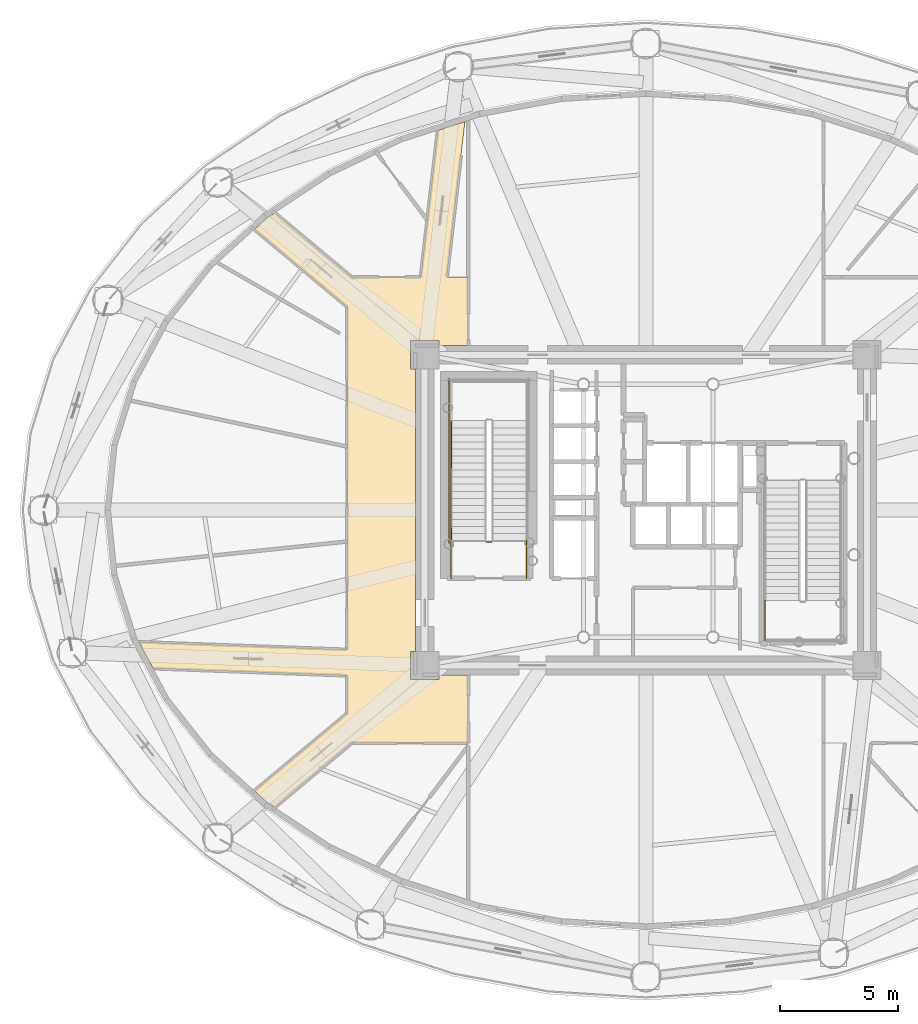
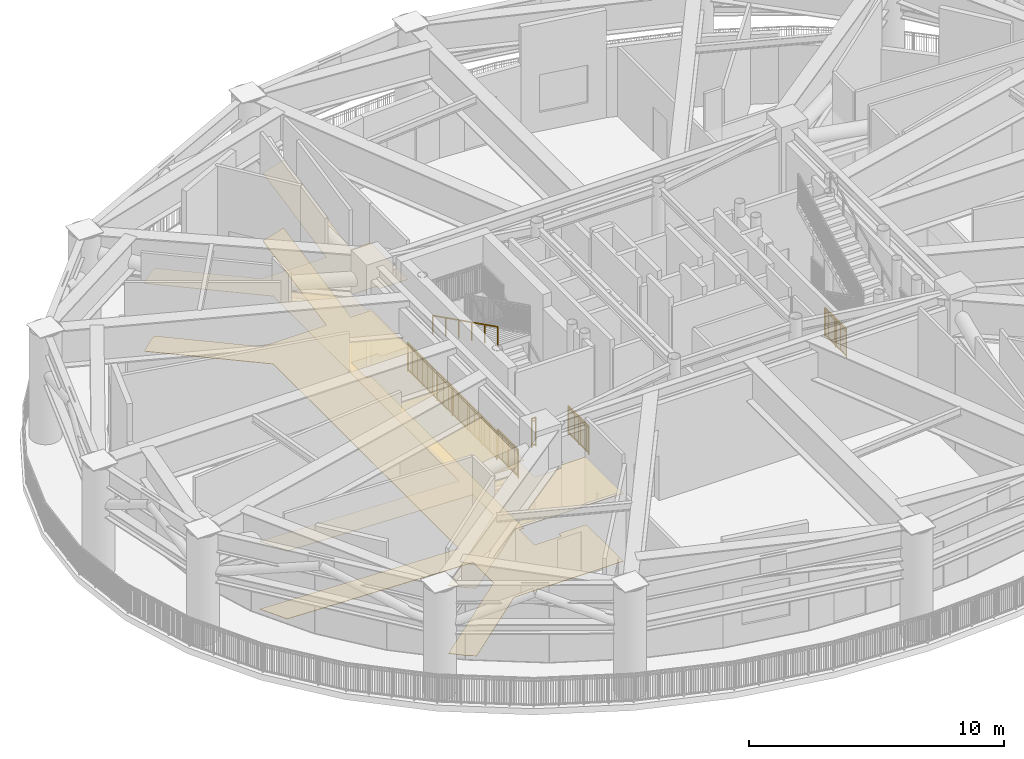
# One storey, part 14 of 20: 6 railings, 2 coverings.
"""IFC4 building model written with IfcOpenShell, lengths in metres."""

import ifcopenshell
import ifcopenshell.guid

model = None  # the IFC model being written
_history = None  # IfcOwnerHistory: only IFC2X3 demands one
_inside = {}  # id of a spatial element -> (the spatial element, [elements in it])
_under = {}  # id of a project, library or spatial element -> (it, [spatial elements below it])
_declared = {}  # id of a project -> (the project, [libraries it declares])
_typed = {}  # id of a type object -> (the type object, [elements of that type])
_made_of = {}  # id of a material, layer set ... -> (it, [elements and type objects made of it])


def new_model(schema):
    """Start an empty IFC model of exactly this schema.

    Asked for "IFC4X3", IfcOpenShell would pick the latest addendum, in which some entities
    have other attributes; the version numbers below select the first issue.
    IFC2X3 requires an IfcOwnerHistory on every rooted entity: one is made here for all.
    """
    global model, _history
    if schema == "IFC4X3":
        model = ifcopenshell.file(schema_version=(4, 3, 0, 0))
    else:
        model = ifcopenshell.file(schema=schema)
    _inside.clear()
    _under.clear()
    _declared.clear()
    _typed.clear()
    _made_of.clear()
    _history = None
    if model.schema == "IFC2X3":
        org = make("IfcOrganization", Name="unknown")
        user = make(
            "IfcPersonAndOrganization",
            ThePerson=make("IfcPerson", FamilyName="unknown"),
            TheOrganization=org,
        )
        app = make(
            "IfcApplication",
            ApplicationDeveloper=org,
            Version="unknown",
            ApplicationFullName="unknown",
            ApplicationIdentifier="unknown",
        )
        _history = make(
            "IfcOwnerHistory",
            OwningUser=user,
            OwningApplication=app,
            ChangeAction="ADDED",
            CreationDate=0,
        )
    return model


def make(cls, **values):
    """One entity of the class cls with the attributes given. An attribute that is None is left unset."""
    return model.create_entity(
        cls, **{name: value for name, value in values.items() if value is not None}
    )


def rooted(cls, **values):
    """An entity with a GlobalId (a new one), such as an element, a storey or a relation."""
    return make(cls, GlobalId=ifcopenshell.guid.new(), OwnerHistory=_history, **values)


def si_unit(unit_type, name, prefix=None):
    """IfcSIUnit, for example si_unit("LENGTHUNIT", "METRE", prefix="MILLI")."""
    return make("IfcSIUnit", UnitType=unit_type, Prefix=prefix, Name=name)


def assignment(units):
    """IfcUnitAssignment: the units of a project."""
    return None if units is None else make("IfcUnitAssignment", Units=units)


def point(xyz):
    """IfcCartesianPoint."""
    return None if xyz is None else make("IfcCartesianPoint", Coordinates=xyz)


def direction(xyz):
    """IfcDirection."""
    return None if xyz is None else make("IfcDirection", DirectionRatios=xyz)


def frame(location, z_axis=None, x_axis=None):
    """IfcAxis2Placement3D, a coordinate frame: its origin and axes. An axis left out is left unset."""
    return make(
        "IfcAxis2Placement3D",
        Location=point(location),
        Axis=direction(z_axis),
        RefDirection=direction(x_axis),
    )


def frame_2d(location, x_axis=None):
    """IfcAxis2Placement2D, a coordinate frame in the plane: its origin and x axis."""
    return make(
        "IfcAxis2Placement2D", Location=point(location), RefDirection=direction(x_axis)
    )


def origin():
    """The frame at (0, 0, 0) with its axes left unset."""
    return frame((0.0, 0.0, 0.0))


def origin_2d():
    """The frame at (0, 0) in the plane with its x axis left unset."""
    return frame_2d((0.0, 0.0))


def place(relative_to, where):
    """IfcLocalPlacement: puts the frame where relative to a parent placement (None: the world)."""
    return make(
        "IfcLocalPlacement", PlacementRelTo=relative_to, RelativePlacement=where
    )


def context(
    kind, dimensions, precision=None, world=None, true_north=None, identifier=None
):
    """IfcGeometricRepresentationContext, for example the 3D "Model" context."""
    return make(
        "IfcGeometricRepresentationContext",
        ContextIdentifier=identifier,
        ContextType=kind,
        CoordinateSpaceDimension=dimensions,
        Precision=precision,
        WorldCoordinateSystem=world,
        TrueNorth=true_north,
    )


def subcontext(parent, identifier, kind, view, scale=None):
    """IfcGeometricRepresentationSubContext, for example "Body" below "Model"."""
    return make(
        "IfcGeometricRepresentationSubContext",
        ContextIdentifier=identifier,
        ContextType=kind,
        ParentContext=parent,
        TargetScale=scale,
        TargetView=view,
    )


def project(units=None, contexts=None):
    """IfcProject with its units and contexts."""
    return rooted(
        "IfcProject",
        Name="project",
        RepresentationContexts=contexts,
        UnitsInContext=assignment(units),
    )


def spatial(cls, under=None, at=None, **own):
    """A site, building, storey or space (cls), placed at a placement, below another one or the project."""
    s = rooted(cls, ObjectPlacement=at, **own)
    if under is not None:
        _under.setdefault(under.id(), (under, []))[1].append(s)
    return s


def polyline(points):
    """IfcPolyline through the points."""
    return make("IfcPolyline", Points=[point(p) for p in points])


def profile(cls, at=None, kind="AREA", **sizes):
    """A parametric profile (cls). Its sizes go by their IFC names, for example OverallWidth=200.0."""
    return make(cls, ProfileType=kind, Position=at, **sizes)


def rectangle(**sizes):
    """IfcRectangleProfileDef."""
    return profile("IfcRectangleProfileDef", **sizes)


def outline(outer, holes=None, kind="AREA"):
    """IfcArbitraryClosedProfileDef: a profile drawn as a closed curve; with holes, ...WithVoids."""
    if holes is None:
        return make("IfcArbitraryClosedProfileDef", ProfileType=kind, OuterCurve=outer)
    return make(
        "IfcArbitraryProfileDefWithVoids",
        ProfileType=kind,
        OuterCurve=outer,
        InnerCurves=holes,
    )


def extrude(swept, where, along, depth):
    """IfcExtrudedAreaSolid: the profile swept, set in the frame where, extruded along a direction by depth."""
    return make(
        "IfcExtrudedAreaSolid",
        SweptArea=swept,
        Position=where,
        ExtrudedDirection=direction(along),
        Depth=depth,
    )


def shape(context_of_items, identifier, shape_type, items):
    """IfcShapeRepresentation: the items that make up one representation, for example the "Body"."""
    return make(
        "IfcShapeRepresentation",
        ContextOfItems=context_of_items,
        RepresentationIdentifier=identifier,
        RepresentationType=shape_type,
        Items=items,
    )


def source(mapping_origin, context_of_items, identifier, shape_type, items):
    """IfcRepresentationMap: a shape defined once, which mapped items show again and again."""
    return make(
        "IfcRepresentationMap",
        MappingOrigin=mapping_origin,
        MappedRepresentation=shape(context_of_items, identifier, shape_type, items),
    )


def transform(
    local_origin,
    x_axis=None,
    y_axis=None,
    z_axis=None,
    scale=None,
    scale2=None,
    scale3=None,
    uniform=True,
):
    """IfcCartesianTransformationOperator3D, or its non-uniform kind. x_axis, y_axis, z_axis: its Axis1, 2, 3."""
    if uniform:
        return make(
            "IfcCartesianTransformationOperator3D",
            Axis1=direction(x_axis),
            Axis2=direction(y_axis),
            LocalOrigin=point(local_origin),
            Scale=scale,
            Axis3=direction(z_axis),
        )
    return make(
        "IfcCartesianTransformationOperator3DnonUniform",
        Axis1=direction(x_axis),
        Axis2=direction(y_axis),
        LocalOrigin=point(local_origin),
        Scale=scale,
        Axis3=direction(z_axis),
        Scale2=scale2,
        Scale3=scale3,
    )


def mapped(mapping_source, mapping_target):
    """IfcMappedItem: shows the shape of a source again, moved by a transform."""
    return make(
        "IfcMappedItem", MappingSource=mapping_source, MappingTarget=mapping_target
    )


def material(Name=None, Category=None):
    """IfcMaterial."""
    return make("IfcMaterial", Name=Name, Category=Category)


def layer(
    of_material, thickness, ventilated=None, Name=None, Category=None, Priority=None
):
    """IfcMaterialLayer: one layer of a wall or slab, of a material (None: an air gap)."""
    return make(
        "IfcMaterialLayer",
        Material=of_material,
        LayerThickness=thickness,
        IsVentilated=ventilated,
        Name=Name,
        Category=Category,
        Priority=Priority,
    )


def layer_set(layers, Name=None):
    """IfcMaterialLayerSet."""
    return make("IfcMaterialLayerSet", MaterialLayers=layers, LayerSetName=Name)


def made_of(thing, what):
    """Note that an element or type object is made of a material, layer set ...; save() writes the relation."""
    if what is not None:
        _made_of.setdefault(what.id(), (what, []))[1].append(thing)
    return thing


def type_object(cls, material=None, **own):
    """A type object (cls), such as IfcWallType, which elements share."""
    return made_of(rooted(cls, **own), material)


def element(
    cls,
    number,
    at=None,
    inside=None,
    cuts=None,
    type_object=None,
    material=None,
    context=None,
    identifier="Body",
    shape_type=None,
    held_by="IfcProductDefinitionShape",
    body=None,
    shapes=None,
    **own,
):
    """One element of the class cls, such as IfcWall. Its Tag is "e" and its number.

    at: its placement. inside: the storey or other place that contains it. cuts: it is an
    opening in that element (IfcRelVoidsElement). A single representation is given by context,
    identifier, shape_type and body (its items); several are given by shapes. held_by: the class
    of the entity that holds the representations. save() writes the other relations.
    """
    e = rooted(cls, Tag="e%d" % number, ObjectPlacement=at, **own)
    if body is not None:
        shapes = [shape(context, identifier, shape_type, body)]
    if shapes is not None:
        e.Representation = make(held_by, Representations=shapes)
    if inside is not None:
        _inside.setdefault(inside.id(), (inside, []))[1].append(e)
    if cuts is not None:
        rooted(
            "IfcRelVoidsElement", RelatingBuildingElement=cuts, RelatedOpeningElement=e
        )
    if type_object is not None:
        _typed.setdefault(type_object.id(), (type_object, []))[1].append(e)
    return made_of(e, material)


def aggregate(whole, parts):
    """IfcRelAggregates: a whole, such as a stair, and the parts it consists of."""
    return rooted("IfcRelAggregates", RelatingObject=whole, RelatedObjects=parts)


def save(model, path):
    """Write the relations noted so far, then the file.

    IfcRelAggregates (storeys below a building ...), IfcRelContainedInSpatialStructure (elements
    in a storey), IfcRelDefinesByType, IfcRelAssociatesMaterial and IfcRelDeclares: one each for
    every whole, place, type object, material and project.
    """
    for whole, parts in _under.values():
        aggregate(whole, parts)
    for where, things in _inside.values():
        rooted(
            "IfcRelContainedInSpatialStructure",
            RelatedElements=things,
            RelatingStructure=where,
        )
    for kind, things in _typed.values():
        rooted("IfcRelDefinesByType", RelatedObjects=things, RelatingType=kind)
    for what, things in _made_of.values():
        rooted("IfcRelAssociatesMaterial", RelatedObjects=things, RelatingMaterial=what)
    for by, libraries in _declared.values():
        rooted("IfcRelDeclares", RelatingContext=by, RelatedDefinitions=libraries)
    model.write(path)


model = new_model("IFC4")

# Units and contexts
model_context = context("Model", 3, precision=1e-05, world=origin(), true_north=direction((0.0, 1.0)))
body_context = subcontext(model_context, "Body", "Model", "MODEL_VIEW")
ifc_project = project(units=[si_unit("LENGTHUNIT", "METRE"), si_unit("AREAUNIT", "SQUARE_METRE"), si_unit("VOLUMEUNIT", "CUBIC_METRE"), si_unit("PLANEANGLEUNIT", "RADIAN"), si_unit("MASSUNIT", "GRAM", prefix="KILO")], contexts=[model_context])

# Site, building, storey
site_placement = place(None, origin())
site = spatial("IfcSite", under=ifc_project, at=site_placement, CompositionType="ELEMENT")
building_placement = place(site_placement, origin())
building = spatial("IfcBuilding", under=site, at=building_placement, Name="Linh Dai School and Residence Tower", CompositionType="ELEMENT")
storey_placement = place(building_placement, frame((0.0, 0.0, 204.89990234375)))
storey = spatial("IfcBuildingStorey", under=building, at=storey_placement, Name="L50", CompositionType="ELEMENT", Elevation=204.89990234375)

# Coverings
ifc_material_1 = material(Name="Mineral Fibre Acoustic Suspended Ceiling", Category="masonry")
ifc_layer_1 = layer(ifc_material_1, 0.02001953125)
ifc_layer_set_1 = layer_set([ifc_layer_1], Name="Mineral Fibre Acoustic Suspended Ceiling")
covering_type_1 = type_object("IfcCoveringType", Name="COV-CEIL-AC-20", PredefinedType="CEILING", material=ifc_layer_set_1)
covering_1_placement = place(storey_placement, frame((0.0, 0.0, 3.25)))
element("IfcCovering", 1, at=covering_1_placement, inside=storey, type_object=covering_type_1, Name="L50 Plant and Refuge Access Corridor West Suspended Ceiling", PredefinedType="CEILING", context=body_context, shape_type="SweptSolid", body=[
    extrude(outline(polyline([(20.22998046875, 14.364501953125), (19.8896484375, 14.58984375), (19.359619140625, 15.07080078125), (23.300048828125, 18.361083984375), (23.300048828125, 19.97021484375), (15.0595703125, 20.270751953125), (14.459716796875, 21.393310546875), (23.300048828125, 21.07080078125), (23.300048828125, 35.638916015625), (19.359619140625, 38.92919921875), (19.8896484375, 39.41015625), (20.22998046875, 39.635498046875), (23.506103515625, 36.89990234375), (26.430908203125, 36.89990234375), (27.157958984375, 43.13818359375), (28.30859375, 43.5078125), (27.538330078125, 36.89990234375), (28.449951171875, 36.89990234375), (28.449951171875, 34.0), (27.199951171875, 34.0), (27.199951171875, 34.199951171875), (26.0, 34.199951171875), (26.0, 33.0), (26.199951171875, 33.0), (26.199951171875, 21.0), (26.0, 21.0), (26.0, 19.800048828125), (27.199951171875, 19.800048828125), (27.199951171875, 20.0), (28.449951171875, 20.0), (28.449951171875, 17.10009765625), (23.506103515625, 17.10009765625), (20.22998046875, 14.364501953125)])), origin(), (0.0, 0.0, 1.0), 0.02001953125),
])
ifc_material_2 = material(Name="Polished Terrazzo Floor Finish", Category="masonry")
ifc_layer_2 = layer(ifc_material_2, 0.02490234375)
ifc_layer_set_2 = layer_set([ifc_layer_2], Name="Polished Terrazzo Floor Finish")
covering_type_2 = type_object("IfcCoveringType", Name="COV-FLR-TRZ-25", PredefinedType="FLOORING", material=ifc_layer_set_2)
covering_2_placement = place(storey_placement, origin())
element("IfcCovering", 2, at=covering_2_placement, inside=storey, type_object=covering_type_2, Name="L50 Plant and Refuge Access Corridor West Floor Finish", PredefinedType="FLOORING", context=body_context, shape_type="SweptSolid", body=[
    extrude(outline(polyline([(20.22998046875, 14.364501953125), (19.8896484375, 14.58984375), (19.359619140625, 15.07080078125), (23.300048828125, 18.361083984375), (23.300048828125, 19.97021484375), (15.0595703125, 20.270751953125), (14.459716796875, 21.393310546875), (23.300048828125, 21.07080078125), (23.300048828125, 35.638916015625), (19.359619140625, 38.92919921875), (19.8896484375, 39.41015625), (20.22998046875, 39.635498046875), (23.506103515625, 36.89990234375), (26.430908203125, 36.89990234375), (27.157958984375, 43.13818359375), (28.30859375, 43.5078125), (27.538330078125, 36.89990234375), (28.449951171875, 36.89990234375), (28.449951171875, 34.0), (27.199951171875, 34.0), (27.199951171875, 34.199951171875), (26.0, 34.199951171875), (26.0, 33.0), (26.199951171875, 33.0), (26.199951171875, 21.0), (26.0, 21.0), (26.0, 19.800048828125), (27.199951171875, 19.800048828125), (27.199951171875, 20.0), (28.449951171875, 20.0), (28.449951171875, 17.10009765625), (23.506103515625, 17.10009765625), (20.22998046875, 14.364501953125)])), origin(), (0.0, 0.0, 1.0), 0.02001953125),
])

# Railings
ifc_material_3 = material(Name="Structural Steel S355JR", Category="steel")
railing_type_1 = type_object("IfcRailingType", Name="RL-ST-GUARD-1400", PredefinedType="GUARDRAIL", material=ifc_material_3)
shared_shape_1 = source(origin(), body_context, "Body", "SweptSolid", [
    extrude(rectangle(XDim=0.048095703125, YDim=0.048095703125, at=origin_2d()), frame((0.0, 0.0, 1.3759765625), z_axis=(-1.0, 0.0, 0.0), x_axis=(0.0, -1.0, 0.0)), (0.0, 0.0, 1.0), 0.199951171875),
    extrude(rectangle(XDim=0.048095703125, YDim=0.048095703125, at=origin_2d()), frame((0.0, 0.0, 0.10009765625), z_axis=(-1.0, 0.0, 0.0), x_axis=(0.0, -1.0, 0.0)), (0.0, 0.0, 1.0), 0.199951171875),
    extrude(rectangle(XDim=0.030029296875, YDim=0.030029296875, at=origin_2d()), frame((0.0, 0.0, 1.239990234375), z_axis=(-1.0, 0.0, 0.0), x_axis=(0.0, -1.0, 0.0)), (0.0, 0.0, 1.0), 0.199951171875),
    extrude(rectangle(XDim=0.0419921875, YDim=0.0419921875, at=origin_2d()), origin(), (0.0, 0.0, 1.0), 1.3759765625),
    extrude(rectangle(XDim=0.0419921875, YDim=0.0419921875, at=origin_2d()), frame((-0.199951171875, 0.0, 0.0)), (0.0, 0.0, 1.0), 1.3759765625),
])
railing_1_placement = place(storey_placement, frame((29.429931640625, 25.64990234375, 0.0)))
element("IfcRailing", 3, at=railing_1_placement, inside=storey, type_object=railing_type_1, Name="L50 ST1 stair guard 7", PredefinedType="GUARDRAIL", context=body_context, shape_type="MappedRepresentation", body=[
    mapped(shared_shape_1, transform((0.0, 0.0, 0.0), x_axis=(1.0, 0.0, 0.0), y_axis=(0.0, 1.0, 0.0), z_axis=(0.0, 0.0, 1.0), scale=1.0)),
])
shared_shape_2 = source(origin(), body_context, "Body", "SweptSolid", [
    extrude(rectangle(XDim=0.048095703125, YDim=0.048095703125, at=origin_2d()), frame((0.0, 0.0, 1.3759765625), z_axis=(0.0, 1.0, 0.0), x_axis=(-1.0, 0.0, 0.0)), (0.0, 0.0, 1.0), 1.599853515625),
    extrude(rectangle(XDim=0.048095703125, YDim=0.048095703125, at=origin_2d()), frame((0.0, 0.0, 0.10009765625), z_axis=(0.0, 1.0, 0.0), x_axis=(-1.0, 0.0, 0.0)), (0.0, 0.0, 1.0), 1.599853515625),
    extrude(rectangle(XDim=0.030029296875, YDim=0.030029296875, at=origin_2d()), frame((0.0, 0.0, 1.239990234375), z_axis=(0.0, 1.0, 0.0), x_axis=(-1.0, 0.0, 0.0)), (0.0, 0.0, 1.0), 1.599853515625),
    extrude(rectangle(XDim=0.02001953125, YDim=0.02001953125, at=origin_2d()), frame((0.0, 0.093994140625, 0.10009765625)), (0.0, 0.0, 1.0), 1.251708984375),
    extrude(rectangle(XDim=0.02001953125, YDim=0.02001953125, at=origin_2d()), frame((0.0, 0.188232421875, 0.10009765625)), (0.0, 0.0, 1.0), 1.251708984375),
    extrude(rectangle(XDim=0.02001953125, YDim=0.02001953125, at=origin_2d()), frame((0.0, 0.2822265625, 0.10009765625)), (0.0, 0.0, 1.0), 1.251708984375),
    extrude(rectangle(XDim=0.02001953125, YDim=0.02001953125, at=origin_2d()), frame((0.0, 0.37646484375, 0.10009765625)), (0.0, 0.0, 1.0), 1.251708984375),
    extrude(rectangle(XDim=0.02001953125, YDim=0.02001953125, at=origin_2d()), frame((0.0, 0.470458984375, 0.10009765625)), (0.0, 0.0, 1.0), 1.251708984375),
    extrude(rectangle(XDim=0.02001953125, YDim=0.02001953125, at=origin_2d()), frame((0.0, 0.564697265625, 0.10009765625)), (0.0, 0.0, 1.0), 1.251708984375),
    extrude(rectangle(XDim=0.02001953125, YDim=0.02001953125, at=origin_2d()), frame((0.0, 0.65869140625, 0.10009765625)), (0.0, 0.0, 1.0), 1.251708984375),
    extrude(rectangle(XDim=0.02001953125, YDim=0.02001953125, at=origin_2d()), frame((0.0, 0.7529296875, 0.10009765625)), (0.0, 0.0, 1.0), 1.251708984375),
    extrude(rectangle(XDim=0.02001953125, YDim=0.02001953125, at=origin_2d()), frame((0.0, 0.846923828125, 0.10009765625)), (0.0, 0.0, 1.0), 1.251708984375),
    extrude(rectangle(XDim=0.02001953125, YDim=0.02001953125, at=origin_2d()), frame((0.0, 0.941162109375, 0.10009765625)), (0.0, 0.0, 1.0), 1.251708984375),
    extrude(rectangle(XDim=0.02001953125, YDim=0.02001953125, at=origin_2d()), frame((0.0, 1.03515625, 0.10009765625)), (0.0, 0.0, 1.0), 1.251708984375),
    extrude(rectangle(XDim=0.02001953125, YDim=0.02001953125, at=origin_2d()), frame((0.0, 1.12939453125, 0.10009765625)), (0.0, 0.0, 1.0), 1.251708984375),
    extrude(rectangle(XDim=0.02001953125, YDim=0.02001953125, at=origin_2d()), frame((0.0, 1.223388671875, 0.10009765625)), (0.0, 0.0, 1.0), 1.251708984375),
    extrude(rectangle(XDim=0.02001953125, YDim=0.02001953125, at=origin_2d()), frame((0.0, 1.317626953125, 0.10009765625)), (0.0, 0.0, 1.0), 1.251708984375),
    extrude(rectangle(XDim=0.02001953125, YDim=0.02001953125, at=origin_2d()), frame((0.0, 1.41162109375, 0.10009765625)), (0.0, 0.0, 1.0), 1.251708984375),
    extrude(rectangle(XDim=0.02001953125, YDim=0.02001953125, at=origin_2d()), frame((0.0, 1.505859375, 0.10009765625)), (0.0, 0.0, 1.0), 1.251708984375),
    extrude(rectangle(XDim=0.0419921875, YDim=0.0419921875, at=origin_2d()), origin(), (0.0, 0.0, 1.0), 1.3759765625),
    extrude(rectangle(XDim=0.0419921875, YDim=0.0419921875, at=origin_2d()), frame((0.0, 0.7998046875, 0.0)), (0.0, 0.0, 1.0), 1.3759765625),
    extrude(rectangle(XDim=0.0419921875, YDim=0.0419921875, at=origin_2d()), frame((0.0, 1.599853515625, 0.0)), (0.0, 0.0, 1.0), 1.3759765625),
])
for number, where, name in (
    (4, (30.929931640625, 24.10009765625, 0.0), "L50 ST1 stair guard 8"),
    (5, (27.72998046875, 24.10009765625, 0.0), "L50 ST1 stair guard 9"),
):
    element("IfcRailing", number, at=place(storey_placement, frame(where)), inside=storey, type_object=railing_type_1, Name=name, PredefinedType="GUARDRAIL", context=body_context, shape_type="MappedRepresentation", body=[
        mapped(shared_shape_2, transform((0.0, 0.0, 0.0), x_axis=(1.0, 0.0, 0.0), y_axis=(0.0, 1.0, 0.0), z_axis=(0.0, 0.0, 1.0), scale=1.0)),
    ])
shared_shape_3 = source(origin(), body_context, "Body", "SweptSolid", [
    extrude(rectangle(XDim=0.048095703125, YDim=0.048095703125, at=origin_2d()), frame((0.0, 0.0, 1.3759765625), z_axis=(0.0, 1.0, 0.0), x_axis=(-1.0, 0.0, 0.0)), (0.0, 0.0, 1.0), 7.0),
    extrude(rectangle(XDim=0.048095703125, YDim=0.048095703125, at=origin_2d()), frame((0.0, 0.0, 0.10009765625), z_axis=(0.0, 1.0, 0.0), x_axis=(-1.0, 0.0, 0.0)), (0.0, 0.0, 1.0), 7.0),
    extrude(rectangle(XDim=0.030029296875, YDim=0.030029296875, at=origin_2d()), frame((0.0, 0.0, 1.239990234375), z_axis=(0.0, 1.0, 0.0), x_axis=(-1.0, 0.0, 0.0)), (0.0, 0.0, 1.0), 7.0),
    extrude(rectangle(XDim=0.02001953125, YDim=0.02001953125, at=origin_2d()), frame((0.0, 0.09716796875, 0.10009765625)), (0.0, 0.0, 1.0), 1.251708984375),
    extrude(rectangle(XDim=0.02001953125, YDim=0.02001953125, at=origin_2d()), frame((0.0, 0.1943359375, 0.10009765625)), (0.0, 0.0, 1.0), 1.251708984375),
    extrude(rectangle(XDim=0.02001953125, YDim=0.02001953125, at=origin_2d()), frame((0.0, 0.291748046875, 0.10009765625)), (0.0, 0.0, 1.0), 1.251708984375),
    extrude(rectangle(XDim=0.02001953125, YDim=0.02001953125, at=origin_2d()), frame((0.0, 0.388916015625, 0.10009765625)), (0.0, 0.0, 1.0), 1.251708984375),
    extrude(rectangle(XDim=0.02001953125, YDim=0.02001953125, at=origin_2d()), frame((0.0, 0.486083984375, 0.10009765625)), (0.0, 0.0, 1.0), 1.251708984375),
    extrude(rectangle(XDim=0.02001953125, YDim=0.02001953125, at=origin_2d()), frame((0.0, 0.583251953125, 0.10009765625)), (0.0, 0.0, 1.0), 1.251708984375),
    extrude(rectangle(XDim=0.02001953125, YDim=0.02001953125, at=origin_2d()), frame((0.0, 0.6806640625, 0.10009765625)), (0.0, 0.0, 1.0), 1.251708984375),
    extrude(rectangle(XDim=0.02001953125, YDim=0.02001953125, at=origin_2d()), frame((0.0, 0.77783203125, 0.10009765625)), (0.0, 0.0, 1.0), 1.251708984375),
    extrude(rectangle(XDim=0.02001953125, YDim=0.02001953125, at=origin_2d()), frame((0.0, 0.875, 0.10009765625)), (0.0, 0.0, 1.0), 1.251708984375),
    extrude(rectangle(XDim=0.02001953125, YDim=0.02001953125, at=origin_2d()), frame((0.0, 0.97216796875, 0.10009765625)), (0.0, 0.0, 1.0), 1.251708984375),
    extrude(rectangle(XDim=0.02001953125, YDim=0.02001953125, at=origin_2d()), frame((0.0, 1.0693359375, 0.10009765625)), (0.0, 0.0, 1.0), 1.251708984375),
    extrude(rectangle(XDim=0.02001953125, YDim=0.02001953125, at=origin_2d()), frame((0.0, 1.263916015625, 0.10009765625)), (0.0, 0.0, 1.0), 1.251708984375),
    extrude(rectangle(XDim=0.02001953125, YDim=0.02001953125, at=origin_2d()), frame((0.0, 1.361083984375, 0.10009765625)), (0.0, 0.0, 1.0), 1.251708984375),
    extrude(rectangle(XDim=0.02001953125, YDim=0.02001953125, at=origin_2d()), frame((0.0, 1.458251953125, 0.10009765625)), (0.0, 0.0, 1.0), 1.251708984375),
    extrude(rectangle(XDim=0.02001953125, YDim=0.02001953125, at=origin_2d()), frame((0.0, 1.5556640625, 0.10009765625)), (0.0, 0.0, 1.0), 1.251708984375),
    extrude(rectangle(XDim=0.02001953125, YDim=0.02001953125, at=origin_2d()), frame((0.0, 1.65283203125, 0.10009765625)), (0.0, 0.0, 1.0), 1.251708984375),
    extrude(rectangle(XDim=0.02001953125, YDim=0.02001953125, at=origin_2d()), frame((0.0, 1.75, 0.10009765625)), (0.0, 0.0, 1.0), 1.251708984375),
    extrude(rectangle(XDim=0.02001953125, YDim=0.02001953125, at=origin_2d()), frame((0.0, 1.84716796875, 0.10009765625)), (0.0, 0.0, 1.0), 1.251708984375),
    extrude(rectangle(XDim=0.02001953125, YDim=0.02001953125, at=origin_2d()), frame((0.0, 1.9443359375, 0.10009765625)), (0.0, 0.0, 1.0), 1.251708984375),
    extrude(rectangle(XDim=0.02001953125, YDim=0.02001953125, at=origin_2d()), frame((0.0, 2.041748046875, 0.10009765625)), (0.0, 0.0, 1.0), 1.251708984375),
    extrude(rectangle(XDim=0.02001953125, YDim=0.02001953125, at=origin_2d()), frame((0.0, 2.138916015625, 0.10009765625)), (0.0, 0.0, 1.0), 1.251708984375),
    extrude(rectangle(XDim=0.02001953125, YDim=0.02001953125, at=origin_2d()), frame((0.0, 2.236083984375, 0.10009765625)), (0.0, 0.0, 1.0), 1.251708984375),
    extrude(rectangle(XDim=0.02001953125, YDim=0.02001953125, at=origin_2d()), frame((0.0, 2.4306640625, 0.10009765625)), (0.0, 0.0, 1.0), 1.251708984375),
    extrude(rectangle(XDim=0.02001953125, YDim=0.02001953125, at=origin_2d()), frame((0.0, 2.52783203125, 0.10009765625)), (0.0, 0.0, 1.0), 1.251708984375),
    extrude(rectangle(XDim=0.02001953125, YDim=0.02001953125, at=origin_2d()), frame((0.0, 2.625, 0.10009765625)), (0.0, 0.0, 1.0), 1.251708984375),
    extrude(rectangle(XDim=0.02001953125, YDim=0.02001953125, at=origin_2d()), frame((0.0, 2.72216796875, 0.10009765625)), (0.0, 0.0, 1.0), 1.251708984375),
    extrude(rectangle(XDim=0.02001953125, YDim=0.02001953125, at=origin_2d()), frame((0.0, 2.8193359375, 0.10009765625)), (0.0, 0.0, 1.0), 1.251708984375),
    extrude(rectangle(XDim=0.02001953125, YDim=0.02001953125, at=origin_2d()), frame((0.0, 2.916748046875, 0.10009765625)), (0.0, 0.0, 1.0), 1.251708984375),
    extrude(rectangle(XDim=0.02001953125, YDim=0.02001953125, at=origin_2d()), frame((0.0, 3.013916015625, 0.10009765625)), (0.0, 0.0, 1.0), 1.251708984375),
    extrude(rectangle(XDim=0.02001953125, YDim=0.02001953125, at=origin_2d()), frame((0.0, 3.111083984375, 0.10009765625)), (0.0, 0.0, 1.0), 1.251708984375),
    extrude(rectangle(XDim=0.02001953125, YDim=0.02001953125, at=origin_2d()), frame((0.0, 3.208251953125, 0.10009765625)), (0.0, 0.0, 1.0), 1.251708984375),
    extrude(rectangle(XDim=0.02001953125, YDim=0.02001953125, at=origin_2d()), frame((0.0, 3.3056640625, 0.10009765625)), (0.0, 0.0, 1.0), 1.251708984375),
    extrude(rectangle(XDim=0.02001953125, YDim=0.02001953125, at=origin_2d()), frame((0.0, 3.40283203125, 0.10009765625)), (0.0, 0.0, 1.0), 1.251708984375),
    extrude(rectangle(XDim=0.02001953125, YDim=0.02001953125, at=origin_2d()), frame((0.0, 3.59716796875, 0.10009765625)), (0.0, 0.0, 1.0), 1.251708984375),
    extrude(rectangle(XDim=0.02001953125, YDim=0.02001953125, at=origin_2d()), frame((0.0, 3.6943359375, 0.10009765625)), (0.0, 0.0, 1.0), 1.251708984375),
    extrude(rectangle(XDim=0.02001953125, YDim=0.02001953125, at=origin_2d()), frame((0.0, 3.791748046875, 0.10009765625)), (0.0, 0.0, 1.0), 1.251708984375),
    extrude(rectangle(XDim=0.02001953125, YDim=0.02001953125, at=origin_2d()), frame((0.0, 3.888916015625, 0.10009765625)), (0.0, 0.0, 1.0), 1.251708984375),
    extrude(rectangle(XDim=0.02001953125, YDim=0.02001953125, at=origin_2d()), frame((0.0, 3.986083984375, 0.10009765625)), (0.0, 0.0, 1.0), 1.251708984375),
    extrude(rectangle(XDim=0.02001953125, YDim=0.02001953125, at=origin_2d()), frame((0.0, 4.083251953125, 0.10009765625)), (0.0, 0.0, 1.0), 1.251708984375),
    extrude(rectangle(XDim=0.02001953125, YDim=0.02001953125, at=origin_2d()), frame((0.0, 4.1806640625, 0.10009765625)), (0.0, 0.0, 1.0), 1.251708984375),
    extrude(rectangle(XDim=0.02001953125, YDim=0.02001953125, at=origin_2d()), frame((0.0, 4.27783203125, 0.10009765625)), (0.0, 0.0, 1.0), 1.251708984375),
    extrude(rectangle(XDim=0.02001953125, YDim=0.02001953125, at=origin_2d()), frame((0.0, 4.375, 0.10009765625)), (0.0, 0.0, 1.0), 1.251708984375),
    extrude(rectangle(XDim=0.02001953125, YDim=0.02001953125, at=origin_2d()), frame((0.0, 4.47216796875, 0.10009765625)), (0.0, 0.0, 1.0), 1.251708984375),
    extrude(rectangle(XDim=0.02001953125, YDim=0.02001953125, at=origin_2d()), frame((0.0, 4.5693359375, 0.10009765625)), (0.0, 0.0, 1.0), 1.251708984375),
    extrude(rectangle(XDim=0.02001953125, YDim=0.02001953125, at=origin_2d()), frame((0.0, 4.763916015625, 0.10009765625)), (0.0, 0.0, 1.0), 1.251708984375),
    extrude(rectangle(XDim=0.02001953125, YDim=0.02001953125, at=origin_2d()), frame((0.0, 4.861083984375, 0.10009765625)), (0.0, 0.0, 1.0), 1.251708984375),
    extrude(rectangle(XDim=0.02001953125, YDim=0.02001953125, at=origin_2d()), frame((0.0, 4.958251953125, 0.10009765625)), (0.0, 0.0, 1.0), 1.251708984375),
    extrude(rectangle(XDim=0.02001953125, YDim=0.02001953125, at=origin_2d()), frame((0.0, 5.0556640625, 0.10009765625)), (0.0, 0.0, 1.0), 1.251708984375),
    extrude(rectangle(XDim=0.02001953125, YDim=0.02001953125, at=origin_2d()), frame((0.0, 5.15283203125, 0.10009765625)), (0.0, 0.0, 1.0), 1.251708984375),
    extrude(rectangle(XDim=0.02001953125, YDim=0.02001953125, at=origin_2d()), frame((0.0, 5.25, 0.10009765625)), (0.0, 0.0, 1.0), 1.251708984375),
    extrude(rectangle(XDim=0.02001953125, YDim=0.02001953125, at=origin_2d()), frame((0.0, 5.34716796875, 0.10009765625)), (0.0, 0.0, 1.0), 1.251708984375),
    extrude(rectangle(XDim=0.02001953125, YDim=0.02001953125, at=origin_2d()), frame((0.0, 5.4443359375, 0.10009765625)), (0.0, 0.0, 1.0), 1.251708984375),
    extrude(rectangle(XDim=0.02001953125, YDim=0.02001953125, at=origin_2d()), frame((0.0, 5.541748046875, 0.10009765625)), (0.0, 0.0, 1.0), 1.251708984375),
    extrude(rectangle(XDim=0.02001953125, YDim=0.02001953125, at=origin_2d()), frame((0.0, 5.638916015625, 0.10009765625)), (0.0, 0.0, 1.0), 1.251708984375),
    extrude(rectangle(XDim=0.02001953125, YDim=0.02001953125, at=origin_2d()), frame((0.0, 5.736083984375, 0.10009765625)), (0.0, 0.0, 1.0), 1.251708984375),
    extrude(rectangle(XDim=0.02001953125, YDim=0.02001953125, at=origin_2d()), frame((0.0, 5.9306640625, 0.10009765625)), (0.0, 0.0, 1.0), 1.251708984375),
    extrude(rectangle(XDim=0.02001953125, YDim=0.02001953125, at=origin_2d()), frame((0.0, 6.02783203125, 0.10009765625)), (0.0, 0.0, 1.0), 1.251708984375),
    extrude(rectangle(XDim=0.02001953125, YDim=0.02001953125, at=origin_2d()), frame((0.0, 6.125, 0.10009765625)), (0.0, 0.0, 1.0), 1.251708984375),
    extrude(rectangle(XDim=0.02001953125, YDim=0.02001953125, at=origin_2d()), frame((0.0, 6.22216796875, 0.10009765625)), (0.0, 0.0, 1.0), 1.251708984375),
    extrude(rectangle(XDim=0.02001953125, YDim=0.02001953125, at=origin_2d()), frame((0.0, 6.3193359375, 0.10009765625)), (0.0, 0.0, 1.0), 1.251708984375),
    extrude(rectangle(XDim=0.02001953125, YDim=0.02001953125, at=origin_2d()), frame((0.0, 6.416748046875, 0.10009765625)), (0.0, 0.0, 1.0), 1.251708984375),
    extrude(rectangle(XDim=0.02001953125, YDim=0.02001953125, at=origin_2d()), frame((0.0, 6.513916015625, 0.10009765625)), (0.0, 0.0, 1.0), 1.251708984375),
    extrude(rectangle(XDim=0.02001953125, YDim=0.02001953125, at=origin_2d()), frame((0.0, 6.611083984375, 0.10009765625)), (0.0, 0.0, 1.0), 1.251708984375),
    extrude(rectangle(XDim=0.02001953125, YDim=0.02001953125, at=origin_2d()), frame((0.0, 6.708251953125, 0.10009765625)), (0.0, 0.0, 1.0), 1.251708984375),
    extrude(rectangle(XDim=0.02001953125, YDim=0.02001953125, at=origin_2d()), frame((0.0, 6.8056640625, 0.10009765625)), (0.0, 0.0, 1.0), 1.251708984375),
    extrude(rectangle(XDim=0.02001953125, YDim=0.02001953125, at=origin_2d()), frame((0.0, 6.90283203125, 0.10009765625)), (0.0, 0.0, 1.0), 1.251708984375),
    extrude(rectangle(XDim=0.0419921875, YDim=0.0419921875, at=origin_2d()), origin(), (0.0, 0.0, 1.0), 1.3759765625),
    extrude(rectangle(XDim=0.0419921875, YDim=0.0419921875, at=origin_2d()), frame((0.0, 1.166748046875, 0.0)), (0.0, 0.0, 1.0), 1.3759765625),
    extrude(rectangle(XDim=0.0419921875, YDim=0.0419921875, at=origin_2d()), frame((0.0, 2.333251953125, 0.0)), (0.0, 0.0, 1.0), 1.3759765625),
    extrude(rectangle(XDim=0.0419921875, YDim=0.0419921875, at=origin_2d()), frame((0.0, 3.5, 0.0)), (0.0, 0.0, 1.0), 1.3759765625),
    extrude(rectangle(XDim=0.0419921875, YDim=0.0419921875, at=origin_2d()), frame((0.0, 4.666748046875, 0.0)), (0.0, 0.0, 1.0), 1.3759765625),
    extrude(rectangle(XDim=0.0419921875, YDim=0.0419921875, at=origin_2d()), frame((0.0, 5.833251953125, 0.0)), (0.0, 0.0, 1.0), 1.3759765625),
    extrude(rectangle(XDim=0.0419921875, YDim=0.0419921875, at=origin_2d()), frame((0.0, 7.0, 0.0)), (0.0, 0.0, 1.0), 1.3759765625),
])
railing_2_placement = place(storey_placement, frame((27.6298828125, 25.60009765625, 0.0)))
element("IfcRailing", 6, at=railing_2_placement, inside=storey, type_object=railing_type_1, Name="L50 ST1 stair guard 11", PredefinedType="GUARDRAIL", context=body_context, shape_type="MappedRepresentation", body=[
    mapped(shared_shape_3, transform((0.0, 0.0, 0.0), x_axis=(1.0, 0.0, 0.0), y_axis=(0.0, 1.0, 0.0), z_axis=(0.0, 0.0, 1.0), scale=1.0)),
])
ifc_material_4 = material(Name="Brushed Stainless Steel Handrail", Category="steel")
railing_type_2 = type_object("IfcRailingType", Name="RL-ST-HANDRAIL-900", PredefinedType="HANDRAIL", material=ifc_material_4)
shared_shape_4 = source(origin(), body_context, "Body", "SweptSolid", [
    extrude(rectangle(XDim=0.048095703125, YDim=0.048095703125, at=origin_2d()), frame((0.0, 0.0, 0.8759765625), z_axis=(0.0, -0.894427191, 0.4472135955), x_axis=(1.0, 0.0, 0.0)), (0.0, 0.0, 1.0), 5.7021484375),
    extrude(rectangle(XDim=0.0419921875, YDim=0.0419921875, at=origin_2d()), origin(), (0.0, 0.0, 1.0), 0.8759765625),
    extrude(rectangle(XDim=0.0419921875, YDim=0.0419921875, at=origin_2d()), frame((0.0, -1.02001953125, 0.510009765625)), (0.0, 0.0, 1.0), 0.8759765625),
    extrude(rectangle(XDim=0.0419921875, YDim=0.0419921875, at=origin_2d()), frame((0.0, -2.0400390625, 1.02001953125)), (0.0, 0.0, 1.0), 0.8759765625),
    extrude(rectangle(XDim=0.0419921875, YDim=0.0419921875, at=origin_2d()), frame((0.0, -3.06005859375, 1.530029296875)), (0.0, 0.0, 1.0), 0.8759765625),
    extrude(rectangle(XDim=0.0419921875, YDim=0.0419921875, at=origin_2d()), frame((0.0, -4.080078125, 2.0400390625)), (0.0, 0.0, 1.0), 0.8759765625),
    extrude(rectangle(XDim=0.0419921875, YDim=0.0419921875, at=origin_2d()), frame((0.0, -5.10009765625, 2.550048828125)), (0.0, 0.0, 1.0), 0.8759765625),
])
railing_3_placement = place(storey_placement, frame((27.72998046875, 30.800048828125, 2.85009765625)))
element("IfcRailing", 7, at=railing_3_placement, inside=storey, type_object=railing_type_2, Name="L50 ST1 stair handrail 2", PredefinedType="HANDRAIL", context=body_context, shape_type="MappedRepresentation", body=[
    mapped(shared_shape_4, transform((0.0, 0.0, 0.0), x_axis=(1.0, 0.0, 0.0), y_axis=(0.0, 1.0, 0.0), z_axis=(0.0, 0.0, 1.0), scale=1.0)),
])
shared_shape_5 = source(origin(), body_context, "Body", "SweptSolid", [
    extrude(rectangle(XDim=0.048095703125, YDim=0.048095703125, at=origin_2d()), frame((0.0, 0.0, 1.3759765625), z_axis=(0.0, -1.0, 0.0), x_axis=(1.0, 0.0, 0.0)), (0.0, 0.0, 1.0), 1.699951171875),
    extrude(rectangle(XDim=0.048095703125, YDim=0.048095703125, at=origin_2d()), frame((0.0, 0.0, 0.10009765625), z_axis=(0.0, -1.0, 0.0), x_axis=(1.0, 0.0, 0.0)), (0.0, 0.0, 1.0), 1.699951171875),
    extrude(rectangle(XDim=0.030029296875, YDim=0.030029296875, at=origin_2d()), frame((0.0, 0.0, 1.239990234375), z_axis=(0.0, -1.0, 0.0), x_axis=(1.0, 0.0, 0.0)), (0.0, 0.0, 1.0), 1.699951171875),
    extrude(rectangle(XDim=0.02001953125, YDim=0.02001953125, at=origin_2d()), frame((0.0, -0.094482421875, 0.10009765625)), (0.0, 0.0, 1.0), 1.251708984375),
    extrude(rectangle(XDim=0.02001953125, YDim=0.02001953125, at=origin_2d()), frame((0.0, -0.18896484375, 0.10009765625)), (0.0, 0.0, 1.0), 1.251708984375),
    extrude(rectangle(XDim=0.02001953125, YDim=0.02001953125, at=origin_2d()), frame((0.0, -0.283203125, 0.10009765625)), (0.0, 0.0, 1.0), 1.251708984375),
    extrude(rectangle(XDim=0.02001953125, YDim=0.02001953125, at=origin_2d()), frame((0.0, -0.377685546875, 0.10009765625)), (0.0, 0.0, 1.0), 1.251708984375),
    extrude(rectangle(XDim=0.02001953125, YDim=0.02001953125, at=origin_2d()), frame((0.0, -0.47216796875, 0.10009765625)), (0.0, 0.0, 1.0), 1.251708984375),
    extrude(rectangle(XDim=0.02001953125, YDim=0.02001953125, at=origin_2d()), frame((0.0, -0.566650390625, 0.10009765625)), (0.0, 0.0, 1.0), 1.251708984375),
    extrude(rectangle(XDim=0.02001953125, YDim=0.02001953125, at=origin_2d()), frame((0.0, -0.6611328125, 0.10009765625)), (0.0, 0.0, 1.0), 1.251708984375),
    extrude(rectangle(XDim=0.02001953125, YDim=0.02001953125, at=origin_2d()), frame((0.0, -0.755615234375, 0.10009765625)), (0.0, 0.0, 1.0), 1.251708984375),
    extrude(rectangle(XDim=0.02001953125, YDim=0.02001953125, at=origin_2d()), frame((0.0, -0.9443359375, 0.10009765625)), (0.0, 0.0, 1.0), 1.251708984375),
    extrude(rectangle(XDim=0.02001953125, YDim=0.02001953125, at=origin_2d()), frame((0.0, -1.038818359375, 0.10009765625)), (0.0, 0.0, 1.0), 1.251708984375),
    extrude(rectangle(XDim=0.02001953125, YDim=0.02001953125, at=origin_2d()), frame((0.0, -1.13330078125, 0.10009765625)), (0.0, 0.0, 1.0), 1.251708984375),
    extrude(rectangle(XDim=0.02001953125, YDim=0.02001953125, at=origin_2d()), frame((0.0, -1.227783203125, 0.10009765625)), (0.0, 0.0, 1.0), 1.251708984375),
    extrude(rectangle(XDim=0.02001953125, YDim=0.02001953125, at=origin_2d()), frame((0.0, -1.322265625, 0.10009765625)), (0.0, 0.0, 1.0), 1.251708984375),
    extrude(rectangle(XDim=0.02001953125, YDim=0.02001953125, at=origin_2d()), frame((0.0, -1.41650390625, 0.10009765625)), (0.0, 0.0, 1.0), 1.251708984375),
    extrude(rectangle(XDim=0.02001953125, YDim=0.02001953125, at=origin_2d()), frame((0.0, -1.510986328125, 0.10009765625)), (0.0, 0.0, 1.0), 1.251708984375),
    extrude(rectangle(XDim=0.02001953125, YDim=0.02001953125, at=origin_2d()), frame((0.0, -1.60546875, 0.10009765625)), (0.0, 0.0, 1.0), 1.251708984375),
    extrude(rectangle(XDim=0.0419921875, YDim=0.0419921875, at=origin_2d()), origin(), (0.0, 0.0, 1.0), 1.3759765625),
    extrude(rectangle(XDim=0.0419921875, YDim=0.0419921875, at=origin_2d()), frame((0.0, -0.85009765625, 0.0)), (0.0, 0.0, 1.0), 1.3759765625),
    extrude(rectangle(XDim=0.0419921875, YDim=0.0419921875, at=origin_2d()), frame((0.0, -1.699951171875, 0.0)), (0.0, 0.0, 1.0), 1.3759765625),
])
railing_4_placement = place(storey_placement, frame((41.070068359375, 23.14990234375, 2.7001953125)))
element("IfcRailing", 8, at=railing_4_placement, inside=storey, type_object=railing_type_1, Name="L50 ST2 stair guard 3", PredefinedType="GUARDRAIL", context=body_context, shape_type="MappedRepresentation", body=[
    mapped(shared_shape_5, transform((0.0, 0.0, 0.0), x_axis=(1.0, 0.0, 0.0), y_axis=(0.0, 1.0, 0.0), z_axis=(0.0, 0.0, 1.0), scale=1.0)),
])

save(model, "model.ifc")
